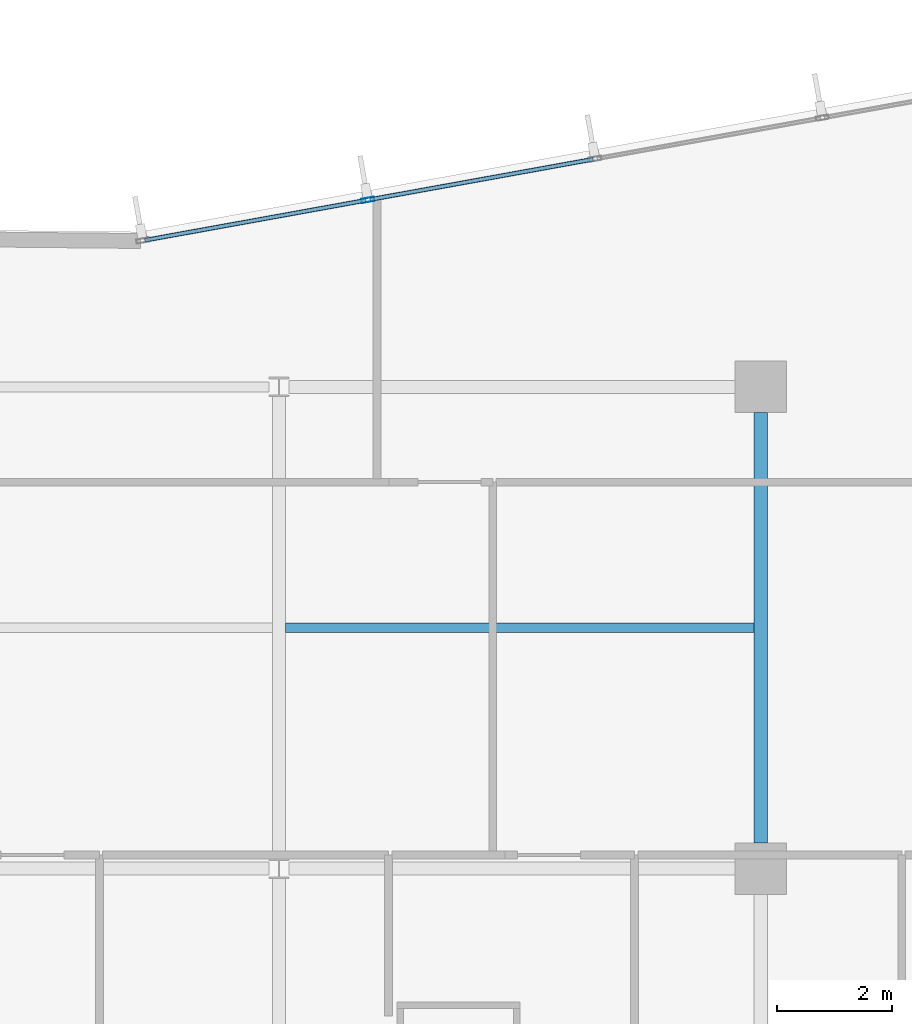
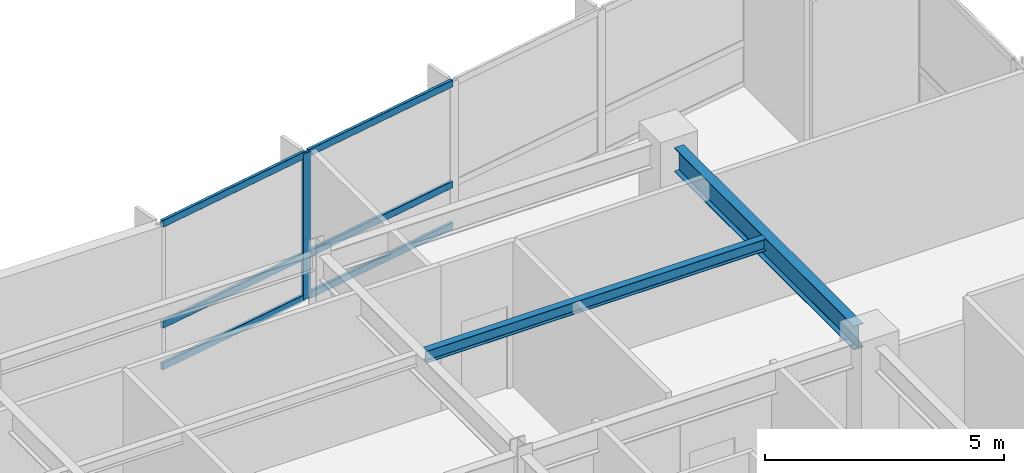
# One storey, part 7 of 20: 7 members, 2 beams, 1 element without a shape of its own.
"""IFC4 building model written with IfcOpenShell, lengths in metres."""

import ifcopenshell
import ifcopenshell.guid

model = None  # the IFC model being written
_history = None  # IfcOwnerHistory: only IFC2X3 demands one
_inside = {}  # id of a spatial element -> (the spatial element, [elements in it])
_under = {}  # id of a project, library or spatial element -> (it, [spatial elements below it])
_declared = {}  # id of a project -> (the project, [libraries it declares])
_typed = {}  # id of a type object -> (the type object, [elements of that type])
_made_of = {}  # id of a material, layer set ... -> (it, [elements and type objects made of it])


def new_model(schema):
    """Start an empty IFC model of exactly this schema.

    Asked for "IFC4X3", IfcOpenShell would pick the latest addendum, in which some entities
    have other attributes; the version numbers below select the first issue.
    IFC2X3 requires an IfcOwnerHistory on every rooted entity: one is made here for all.
    """
    global model, _history
    if schema == "IFC4X3":
        model = ifcopenshell.file(schema_version=(4, 3, 0, 0))
    else:
        model = ifcopenshell.file(schema=schema)
    _inside.clear()
    _under.clear()
    _declared.clear()
    _typed.clear()
    _made_of.clear()
    _history = None
    if model.schema == "IFC2X3":
        org = make("IfcOrganization", Name="unknown")
        user = make(
            "IfcPersonAndOrganization",
            ThePerson=make("IfcPerson", FamilyName="unknown"),
            TheOrganization=org,
        )
        app = make(
            "IfcApplication",
            ApplicationDeveloper=org,
            Version="unknown",
            ApplicationFullName="unknown",
            ApplicationIdentifier="unknown",
        )
        _history = make(
            "IfcOwnerHistory",
            OwningUser=user,
            OwningApplication=app,
            ChangeAction="ADDED",
            CreationDate=0,
        )
    return model


def make(cls, **values):
    """One entity of the class cls with the attributes given. An attribute that is None is left unset."""
    return model.create_entity(
        cls, **{name: value for name, value in values.items() if value is not None}
    )


def rooted(cls, **values):
    """An entity with a GlobalId (a new one), such as an element, a storey or a relation."""
    return make(cls, GlobalId=ifcopenshell.guid.new(), OwnerHistory=_history, **values)


def si_unit(unit_type, name, prefix=None):
    """IfcSIUnit, for example si_unit("LENGTHUNIT", "METRE", prefix="MILLI")."""
    return make("IfcSIUnit", UnitType=unit_type, Prefix=prefix, Name=name)


def assignment(units):
    """IfcUnitAssignment: the units of a project."""
    return None if units is None else make("IfcUnitAssignment", Units=units)


def point(xyz):
    """IfcCartesianPoint."""
    return None if xyz is None else make("IfcCartesianPoint", Coordinates=xyz)


def direction(xyz):
    """IfcDirection."""
    return None if xyz is None else make("IfcDirection", DirectionRatios=xyz)


def frame(location, z_axis=None, x_axis=None):
    """IfcAxis2Placement3D, a coordinate frame: its origin and axes. An axis left out is left unset."""
    return make(
        "IfcAxis2Placement3D",
        Location=point(location),
        Axis=direction(z_axis),
        RefDirection=direction(x_axis),
    )


def frame_2d(location, x_axis=None):
    """IfcAxis2Placement2D, a coordinate frame in the plane: its origin and x axis."""
    return make(
        "IfcAxis2Placement2D", Location=point(location), RefDirection=direction(x_axis)
    )


def origin():
    """The frame at (0, 0, 0) with its axes left unset."""
    return frame((0.0, 0.0, 0.0))


def origin_2d():
    """The frame at (0, 0) in the plane with its x axis left unset."""
    return frame_2d((0.0, 0.0))


def place(relative_to, where):
    """IfcLocalPlacement: puts the frame where relative to a parent placement (None: the world)."""
    return make(
        "IfcLocalPlacement", PlacementRelTo=relative_to, RelativePlacement=where
    )


def context(
    kind, dimensions, precision=None, world=None, true_north=None, identifier=None
):
    """IfcGeometricRepresentationContext, for example the 3D "Model" context."""
    return make(
        "IfcGeometricRepresentationContext",
        ContextIdentifier=identifier,
        ContextType=kind,
        CoordinateSpaceDimension=dimensions,
        Precision=precision,
        WorldCoordinateSystem=world,
        TrueNorth=true_north,
    )


def subcontext(parent, identifier, kind, view, scale=None):
    """IfcGeometricRepresentationSubContext, for example "Body" below "Model"."""
    return make(
        "IfcGeometricRepresentationSubContext",
        ContextIdentifier=identifier,
        ContextType=kind,
        ParentContext=parent,
        TargetScale=scale,
        TargetView=view,
    )


def project(units=None, contexts=None):
    """IfcProject with its units and contexts."""
    return rooted(
        "IfcProject",
        Name="project",
        RepresentationContexts=contexts,
        UnitsInContext=assignment(units),
    )


def spatial(cls, under=None, at=None, **own):
    """A site, building, storey or space (cls), placed at a placement, below another one or the project."""
    s = rooted(cls, ObjectPlacement=at, **own)
    if under is not None:
        _under.setdefault(under.id(), (under, []))[1].append(s)
    return s


def profile(cls, at=None, kind="AREA", **sizes):
    """A parametric profile (cls). Its sizes go by their IFC names, for example OverallWidth=200.0."""
    return make(cls, ProfileType=kind, Position=at, **sizes)


def hollow_rectangle(**sizes):
    """IfcRectangleHollowProfileDef."""
    return profile("IfcRectangleHollowProfileDef", **sizes)


def i_section(**sizes):
    """IfcIShapeProfileDef."""
    return profile("IfcIShapeProfileDef", **sizes)


def extrude(swept, where, along, depth):
    """IfcExtrudedAreaSolid: the profile swept, set in the frame where, extruded along a direction by depth."""
    return make(
        "IfcExtrudedAreaSolid",
        SweptArea=swept,
        Position=where,
        ExtrudedDirection=direction(along),
        Depth=depth,
    )


def shape(context_of_items, identifier, shape_type, items):
    """IfcShapeRepresentation: the items that make up one representation, for example the "Body"."""
    return make(
        "IfcShapeRepresentation",
        ContextOfItems=context_of_items,
        RepresentationIdentifier=identifier,
        RepresentationType=shape_type,
        Items=items,
    )


def material(Name=None, Category=None):
    """IfcMaterial."""
    return make("IfcMaterial", Name=Name, Category=Category)


def layer(
    of_material, thickness, ventilated=None, Name=None, Category=None, Priority=None
):
    """IfcMaterialLayer: one layer of a wall or slab, of a material (None: an air gap)."""
    return make(
        "IfcMaterialLayer",
        Material=of_material,
        LayerThickness=thickness,
        IsVentilated=ventilated,
        Name=Name,
        Category=Category,
        Priority=Priority,
    )


def layer_set(layers, Name=None):
    """IfcMaterialLayerSet."""
    return make("IfcMaterialLayerSet", MaterialLayers=layers, LayerSetName=Name)


def material_profile(
    of_material, cross_section, Name=None, Category=None, Priority=None
):
    """IfcMaterialProfile: a cross section and its material."""
    return make(
        "IfcMaterialProfile",
        Name=Name,
        Material=of_material,
        Profile=cross_section,
        Priority=Priority,
        Category=Category,
    )


def profile_set(profiles, Name=None, composite=None):
    """IfcMaterialProfileSet."""
    return make(
        "IfcMaterialProfileSet",
        Name=Name,
        MaterialProfiles=profiles,
        CompositeProfile=composite,
    )


def made_of(thing, what):
    """Note that an element or type object is made of a material, layer set ...; save() writes the relation."""
    if what is not None:
        _made_of.setdefault(what.id(), (what, []))[1].append(thing)
    return thing


def type_object(cls, material=None, **own):
    """A type object (cls), such as IfcWallType, which elements share."""
    return made_of(rooted(cls, **own), material)


def element(
    cls,
    number,
    at=None,
    inside=None,
    cuts=None,
    type_object=None,
    material=None,
    context=None,
    identifier="Body",
    shape_type=None,
    held_by="IfcProductDefinitionShape",
    body=None,
    shapes=None,
    **own,
):
    """One element of the class cls, such as IfcWall. Its Tag is "e" and its number.

    at: its placement. inside: the storey or other place that contains it. cuts: it is an
    opening in that element (IfcRelVoidsElement). A single representation is given by context,
    identifier, shape_type and body (its items); several are given by shapes. held_by: the class
    of the entity that holds the representations. save() writes the other relations.
    """
    e = rooted(cls, Tag="e%d" % number, ObjectPlacement=at, **own)
    if body is not None:
        shapes = [shape(context, identifier, shape_type, body)]
    if shapes is not None:
        e.Representation = make(held_by, Representations=shapes)
    if inside is not None:
        _inside.setdefault(inside.id(), (inside, []))[1].append(e)
    if cuts is not None:
        rooted(
            "IfcRelVoidsElement", RelatingBuildingElement=cuts, RelatedOpeningElement=e
        )
    if type_object is not None:
        _typed.setdefault(type_object.id(), (type_object, []))[1].append(e)
    return made_of(e, material)


def aggregate(whole, parts):
    """IfcRelAggregates: a whole, such as a stair, and the parts it consists of."""
    return rooted("IfcRelAggregates", RelatingObject=whole, RelatedObjects=parts)


def save(model, path):
    """Write the relations noted so far, then the file.

    IfcRelAggregates (storeys below a building ...), IfcRelContainedInSpatialStructure (elements
    in a storey), IfcRelDefinesByType, IfcRelAssociatesMaterial and IfcRelDeclares: one each for
    every whole, place, type object, material and project.
    """
    for whole, parts in _under.values():
        aggregate(whole, parts)
    for where, things in _inside.values():
        rooted(
            "IfcRelContainedInSpatialStructure",
            RelatedElements=things,
            RelatingStructure=where,
        )
    for kind, things in _typed.values():
        rooted("IfcRelDefinesByType", RelatedObjects=things, RelatingType=kind)
    for what, things in _made_of.values():
        rooted("IfcRelAssociatesMaterial", RelatedObjects=things, RelatingMaterial=what)
    for by, libraries in _declared.values():
        rooted("IfcRelDeclares", RelatingContext=by, RelatedDefinitions=libraries)
    model.write(path)


model = new_model("IFC4")

# Units and contexts
model_context = context("Model", 3, precision=1e-05, world=origin(), true_north=direction((0.0, 1.0)))
body_context = subcontext(model_context, "Body", "Model", "MODEL_VIEW")
ifc_project = project(units=[si_unit("LENGTHUNIT", "METRE"), si_unit("AREAUNIT", "SQUARE_METRE"), si_unit("VOLUMEUNIT", "CUBIC_METRE"), si_unit("PLANEANGLEUNIT", "RADIAN"), si_unit("MASSUNIT", "GRAM", prefix="KILO")], contexts=[model_context])

# Site, building, storey
site_placement = place(None, origin())
site = spatial("IfcSite", under=ifc_project, at=site_placement, CompositionType="ELEMENT")
building_placement = place(site_placement, origin())
building = spatial("IfcBuilding", under=site, at=building_placement, Name="Varnakote Quay Hospital", CompositionType="ELEMENT")
storey_placement = place(building_placement, frame((0.0, 0.0, 26.449951171875)))
storey = spatial("IfcBuildingStorey", under=building, at=storey_placement, Name="L06", CompositionType="ELEMENT", Elevation=26.449951171875)

# Beam
ifc_material_1 = material(Name="Structural steel AS/NZS 3679.1 Grade 350 L0 (fy 340 MPa)", Category="steel")
ifc_material_profile_1 = material_profile(ifc_material_1, i_section(OverallWidth=0.22900390625, OverallDepth=0.612060546875, WebThickness=0.011962890625, FlangeThickness=0.01953125, FilletRadius=0.013916015625, at=origin_2d()), Name="610UB125")
ifc_profile_set_1 = profile_set([ifc_material_profile_1], Name="Structural steel AS/NZS 3679.1 Grade 350 L0 (fy 340 MPa)")
beam_type_1 = type_object("IfcBeamType", Name="BM-STL-610UB125", PredefinedType="BEAM", material=ifc_profile_set_1)
beam_1_placement = place(storey_placement, frame((50.39990234375, 20.85009765625, 3.404052734375), z_axis=(0.0, 1.0, 0.0), x_axis=(-1.0, 0.0, 0.0)))
element("IfcBeam", 1, at=beam_1_placement, inside=storey, type_object=beam_type_1, Name="L06 Primary Tie Beam", PredefinedType="BEAM", context=body_context, shape_type="SweptSolid", body=[
    extrude(i_section(OverallWidth=0.22900390625, OverallDepth=0.612060546875, WebThickness=0.011962890625, FlangeThickness=0.01953125, FilletRadius=0.013916015625, at=origin_2d()), origin(), (0.0, 0.0, 1.0), 7.5),
])

# Curtain wall, members
ifc_material_2 = material(Name="Anodised aluminium 6063-T6 Bronze", Category="aluminium")
ifc_layer = layer(ifc_material_2, 0.18994140625)
ifc_layer_set = layer_set([ifc_layer], Name="Anodised aluminium 6063-T6 Bronze")
curtain_wall_type = type_object("IfcCurtainWallType", Name="CW-SYS-2", PredefinedType="NOTDEFINED", material=ifc_layer_set)
curtain_wall_placement = place(storey_placement, origin())
curtain_wall = element("IfcCurtainWall", 2, at=curtain_wall_placement, inside=storey, type_object=curtain_wall_type, Name="L06 Unitised Bronze Curtain Wall 2", PredefinedType="NOTDEFINED")
ifc_material_3 = material(Name="Anodised aluminium 6063-T6 Bronze", Category="aluminium")
ifc_material_profile_2 = material_profile(ifc_material_3, hollow_rectangle(XDim=0.074951171875, YDim=0.219970703125, WallThickness=0.00439453125, InnerFilletRadius=0.00439453125, OuterFilletRadius=0.009033203125, at=origin_2d()), Name="CW-MULL-220x75")
ifc_profile_set_2 = profile_set([ifc_material_profile_2], Name="Anodised aluminium 6063-T6 Bronze")
member_type_1 = type_object("IfcMemberType", Name="CW-MULL-220x75", PredefinedType="MULLION", material=ifc_profile_set_2)
member_1_placement = place(storey_placement, frame((43.55224609375, 32.06005859375, 0.0), z_axis=(0.0, 0.0, 1.0), x_axis=(0.177846199098, -0.984058295766, 0.0)))
member_1 = element("IfcMember", 3, at=member_1_placement, type_object=member_type_1, Name="-2-L06-2 mullion 4", PredefinedType="MULLION", context=body_context, shape_type="SweptSolid", body=[
    extrude(hollow_rectangle(XDim=0.074951171875, YDim=0.219970703125, WallThickness=0.00439453125, InnerFilletRadius=0.00439453125, OuterFilletRadius=0.009033203125, at=origin_2d()), origin(), (0.0, 0.0, 1.0), 3.7099609375),
])
ifc_material_4 = material(Name="Anodised aluminium 6063-T6 Bronze", Category="aluminium")
ifc_material_profile_3 = material_profile(ifc_material_4, hollow_rectangle(XDim=0.074951171875, YDim=0.179931640625, WallThickness=0.004150390625, InnerFilletRadius=0.004150390625, OuterFilletRadius=0.00830078125, at=origin_2d()), Name="CW-TRAN-180x75")
ifc_profile_set_3 = profile_set([ifc_material_profile_3], Name="Anodised aluminium 6063-T6 Bronze")
member_type_2 = type_object("IfcMemberType", Name="CW-TRAN-180x75", PredefinedType="USERDEFINED", material=ifc_profile_set_3)
member_2_placement = place(storey_placement, frame((47.477783203125, 32.76953125, 0.03759765625), z_axis=(-0.98405423478, -0.177868667876, 0.0), x_axis=(0.177868667876, -0.98405423478, 0.0)))
member_2 = element("IfcMember", 4, at=member_2_placement, type_object=member_type_2, Name="-2-L06-2 transom 3.1", ObjectType="TRANSOM", PredefinedType="USERDEFINED", context=body_context, shape_type="SweptSolid", body=[
    extrude(hollow_rectangle(XDim=0.074951171875, YDim=0.179931640625, WallThickness=0.004150390625, InnerFilletRadius=0.004150390625, OuterFilletRadius=0.00830078125, at=origin_2d()), origin(), (0.0, 0.0, 1.0), 3.95166015625),
])
member_3_placement = place(storey_placement, frame((47.477783203125, 32.76953125, 1.10009765625), z_axis=(-0.98405423478, -0.177868667876, 0.0), x_axis=(0.177868667876, -0.98405423478, 0.0)))
member_3 = element("IfcMember", 5, at=member_3_placement, type_object=member_type_2, Name="-2-L06-2 transom 3.2", ObjectType="TRANSOM", PredefinedType="USERDEFINED", context=body_context, shape_type="SweptSolid", body=[
    extrude(hollow_rectangle(XDim=0.074951171875, YDim=0.179931640625, WallThickness=0.004150390625, InnerFilletRadius=0.004150390625, OuterFilletRadius=0.00830078125, at=origin_2d()), origin(), (0.0, 0.0, 1.0), 3.95166015625),
])
member_4_placement = place(storey_placement, frame((47.477783203125, 32.76953125, 3.672607421875), z_axis=(-0.98405423478, -0.177868667876, 0.0), x_axis=(0.177868667876, -0.98405423478, 0.0)))
member_4 = element("IfcMember", 6, at=member_4_placement, type_object=member_type_2, Name="-2-L06-2 transom 3.3", ObjectType="TRANSOM", PredefinedType="USERDEFINED", context=body_context, shape_type="SweptSolid", body=[
    extrude(hollow_rectangle(XDim=0.074951171875, YDim=0.179931640625, WallThickness=0.004150390625, InnerFilletRadius=0.004150390625, OuterFilletRadius=0.00830078125, at=origin_2d()), origin(), (0.0, 0.0, 1.0), 3.95166015625),
])
member_5_placement = place(storey_placement, frame((43.515380859375, 32.053466796875, 0.03759765625), z_axis=(-0.984053005206, -0.177875470329, 0.0), x_axis=(0.177875470329, -0.984053005206, 0.0)))
member_5 = element("IfcMember", 7, at=member_5_placement, type_object=member_type_2, Name="-2-L06-2 transom 4.1", ObjectType="TRANSOM", PredefinedType="USERDEFINED", context=body_context, shape_type="SweptSolid", body=[
    extrude(hollow_rectangle(XDim=0.074951171875, YDim=0.179931640625, WallThickness=0.004150390625, InnerFilletRadius=0.004150390625, OuterFilletRadius=0.00830078125, at=origin_2d()), origin(), (0.0, 0.0, 1.0), 3.91455078125),
])
member_6_placement = place(storey_placement, frame((43.515380859375, 32.053466796875, 1.10009765625), z_axis=(-0.984053005206, -0.177875470329, 0.0), x_axis=(0.177875470329, -0.984053005206, 0.0)))
member_6 = element("IfcMember", 8, at=member_6_placement, type_object=member_type_2, Name="-2-L06-2 transom 4.2", ObjectType="TRANSOM", PredefinedType="USERDEFINED", context=body_context, shape_type="SweptSolid", body=[
    extrude(hollow_rectangle(XDim=0.074951171875, YDim=0.179931640625, WallThickness=0.004150390625, InnerFilletRadius=0.004150390625, OuterFilletRadius=0.00830078125, at=origin_2d()), origin(), (0.0, 0.0, 1.0), 3.91455078125),
])
member_7_placement = place(storey_placement, frame((43.515380859375, 32.053466796875, 3.672607421875), z_axis=(-0.984053005206, -0.177875470329, 0.0), x_axis=(0.177875470329, -0.984053005206, 0.0)))
member_7 = element("IfcMember", 9, at=member_7_placement, type_object=member_type_2, Name="-2-L06-2 transom 4.3", ObjectType="TRANSOM", PredefinedType="USERDEFINED", context=body_context, shape_type="SweptSolid", body=[
    extrude(hollow_rectangle(XDim=0.074951171875, YDim=0.179931640625, WallThickness=0.004150390625, InnerFilletRadius=0.004150390625, OuterFilletRadius=0.00830078125, at=origin_2d()), origin(), (0.0, 0.0, 1.0), 3.91455078125),
])
aggregate(curtain_wall, [member_1, member_2, member_3, member_4, member_5, member_6, member_7])

# Beam
ifc_material_5 = material(Name="Structural steel AS/NZS 3679.1 Grade 350 L0 (fy 340 MPa)", Category="steel")
ifc_material_profile_4 = material_profile(ifc_material_5, i_section(OverallWidth=0.166015625, OverallDepth=0.306884765625, WebThickness=0.006591796875, FlangeThickness=0.01171875, FilletRadius=0.011474609375, at=origin_2d()), Name="310UB46.2")
ifc_profile_set_4 = profile_set([ifc_material_profile_4], Name="Structural steel AS/NZS 3679.1 Grade 350 L0 (fy 340 MPa)")
beam_type_2 = type_object("IfcBeamType", Name="JST-STL-310UB46-2", PredefinedType="JOIST", material=ifc_profile_set_4)
beam_2_placement = place(storey_placement, frame((42.114501953125, 24.60009765625, 3.556640625), z_axis=(1.0, 0.0, 0.0), x_axis=(0.0, 1.0, 0.0)))
element("IfcBeam", 10, at=beam_2_placement, inside=storey, type_object=beam_type_2, Name="L06 Composite Floor Joist", PredefinedType="JOIST", context=body_context, shape_type="SweptSolid", body=[
    extrude(i_section(OverallWidth=0.166015625, OverallDepth=0.306884765625, WebThickness=0.006591796875, FlangeThickness=0.01171875, FilletRadius=0.011474609375, at=origin_2d()), origin(), (0.0, 0.0, 1.0), 8.1708984375),
])

save(model, "model.ifc")
